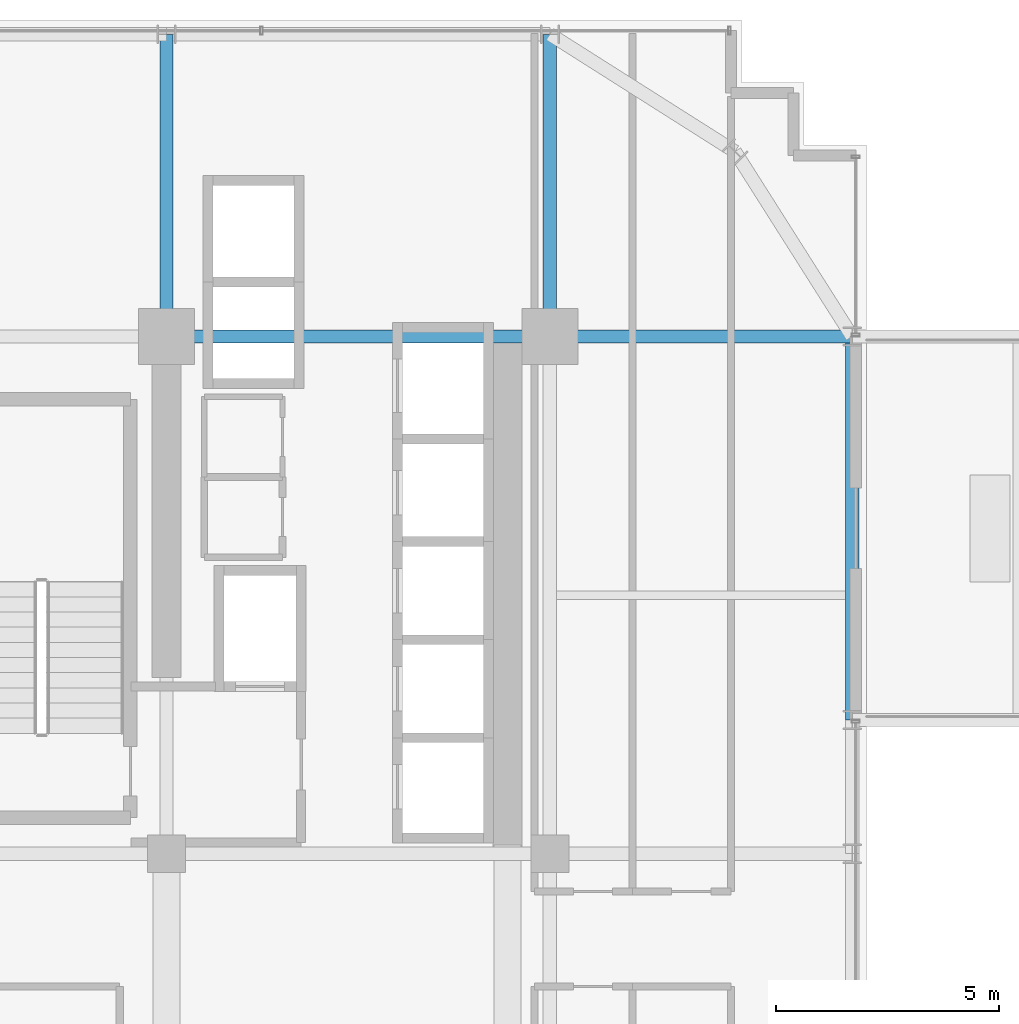
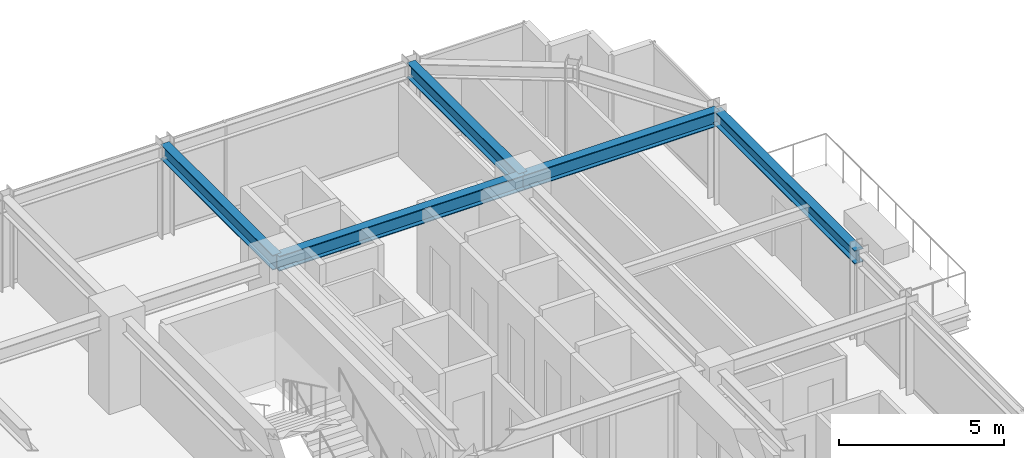
# One storey, part 23 of 33: 5 beams.
"""IFC4 building model written with IfcOpenShell, lengths in metres."""

from ifc_helpers import new_model, si_unit, direction, frame, origin, origin_2d, place, context, subcontext, project, spatial, i_section, extrude, source, transform, mapped, material, material_profile, profile_set, type_object, element, save


model = new_model("IFC4")

# Units and contexts
model_context = context("Model", 3, precision=1e-05, world=origin(), true_north=direction((0.0, 1.0)))
body_context = subcontext(model_context, "Body", "Model", "MODEL_VIEW")
ifc_project = project(units=[si_unit("LENGTHUNIT", "METRE"), si_unit("AREAUNIT", "SQUARE_METRE"), si_unit("VOLUMEUNIT", "CUBIC_METRE"), si_unit("PLANEANGLEUNIT", "RADIAN"), si_unit("MASSUNIT", "GRAM", prefix="KILO")], contexts=[model_context])

# Site, building, storey
site_placement = place(None, origin())
site = spatial("IfcSite", under=ifc_project, at=site_placement, CompositionType="ELEMENT")
building_placement = place(site_placement, origin())
building = spatial("IfcBuilding", under=site, at=building_placement, Name="Nahalor Promenade Grand Hotel", CompositionType="ELEMENT")
storey_placement = place(building_placement, frame((0.0, 0.0, 117.5)))
storey = spatial("IfcBuildingStorey", under=building, at=storey_placement, Name="L29", CompositionType="ELEMENT", Elevation=117.5)

# Beams
ifc_material = material(Name="Steel S355JR", Category="steel")
ifc_material_profile_1 = material_profile(ifc_material, i_section(OverallWidth=0.3, OverallDepth=0.5, WebThickness=0.0145, FlangeThickness=0.028, at=origin_2d()), Name="HEB 500")
ifc_profile_set_1 = profile_set([ifc_material_profile_1], Name="Steel S355JR")
beam_type_1 = type_object("IfcBeamType", Name="Beam-Spandrel-HEB500", PredefinedType="SPANDREL", material=ifc_profile_set_1)
shared_shape_1 = source(origin(), body_context, "Body", "SweptSolid", [
    extrude(i_section(OverallWidth=0.3, OverallDepth=0.5, WebThickness=0.0145, FlangeThickness=0.028, at=origin_2d()), origin(), (0.0, 0.0, 1.0), 8.60009765625),
])
beam_1_placement = place(storey_placement, frame((23.780029296875, 8.39990234375, 3.1298828125), z_axis=(0.0, 1.0, 0.0), x_axis=(-1.0, 0.0, 0.0)))
element("IfcBeam", 1, at=beam_1_placement, inside=storey, type_object=beam_type_1, Name="BM-L29-SP-E-4", PredefinedType="SPANDREL", context=body_context, shape_type="MappedRepresentation", body=[
    mapped(shared_shape_1, transform((0.0, 0.0, 0.0), scale=1.0)),
])
ifc_material_profile_2 = material_profile(ifc_material, i_section(OverallWidth=0.3, OverallDepth=0.55, WebThickness=0.015, FlangeThickness=0.029, at=origin_2d()), Name="HEB 550")
ifc_profile_set_2 = profile_set([ifc_material_profile_2], Name="Steel S355JR")
beam_type_2 = type_object("IfcBeamType", Name="Beam-Girder-HEB550", PredefinedType="BEAM", material=ifc_profile_set_2)
shared_shape_2 = source(origin(), body_context, "Body", "SweptSolid", [
    extrude(i_section(OverallWidth=0.3, OverallDepth=0.55, WebThickness=0.015, FlangeThickness=0.029, at=origin_2d()), origin(), (0.0, 0.0, 1.0), 6.780029296875),
])
for number, where, z_axis, x_axis, name in (
    (2, (17.0, 17.0, 3.10498046875), (1.0, 0.0, 0.0), (0.0, 1.0, 0.0), "BM-L29-GX-3-6"),
    (3, (8.39990234375, 17.0, 3.10498046875), (0.0, 1.0, 0.0), (-1.0, 0.0, 0.0), "BM-L29-GY-4-4"),
    (4, (17.0, 17.0, 3.10498046875), (0.0, 1.0, 0.0), (-1.0, 0.0, 0.0), "BM-L29-GY-5-4"),
):
    element("IfcBeam", number, at=place(storey_placement, frame(where, z_axis=z_axis, x_axis=x_axis)), inside=storey, type_object=beam_type_2, Name=name, PredefinedType="BEAM", context=body_context, shape_type="MappedRepresentation", body=[
        mapped(shared_shape_2, transform((0.0, 0.0, 0.0), scale=1.0)),
    ])
shared_shape_3 = source(origin(), body_context, "Body", "SweptSolid", [
    extrude(i_section(OverallWidth=0.3, OverallDepth=0.55, WebThickness=0.015, FlangeThickness=0.029, at=origin_2d()), origin(), (0.0, 0.0, 1.0), 8.60009765625),
])
beam_2_placement = place(storey_placement, frame((8.39990234375, 17.0, 3.10498046875), z_axis=(1.0, 0.0, 0.0), x_axis=(0.0, 1.0, 0.0)))
element("IfcBeam", 5, at=beam_2_placement, inside=storey, type_object=beam_type_2, Name="BM-L29-GX-3-5", PredefinedType="BEAM", context=body_context, shape_type="MappedRepresentation", body=[
    mapped(shared_shape_3, transform((0.0, 0.0, 0.0), scale=1.0)),
])

save(model, "model.ifc")
